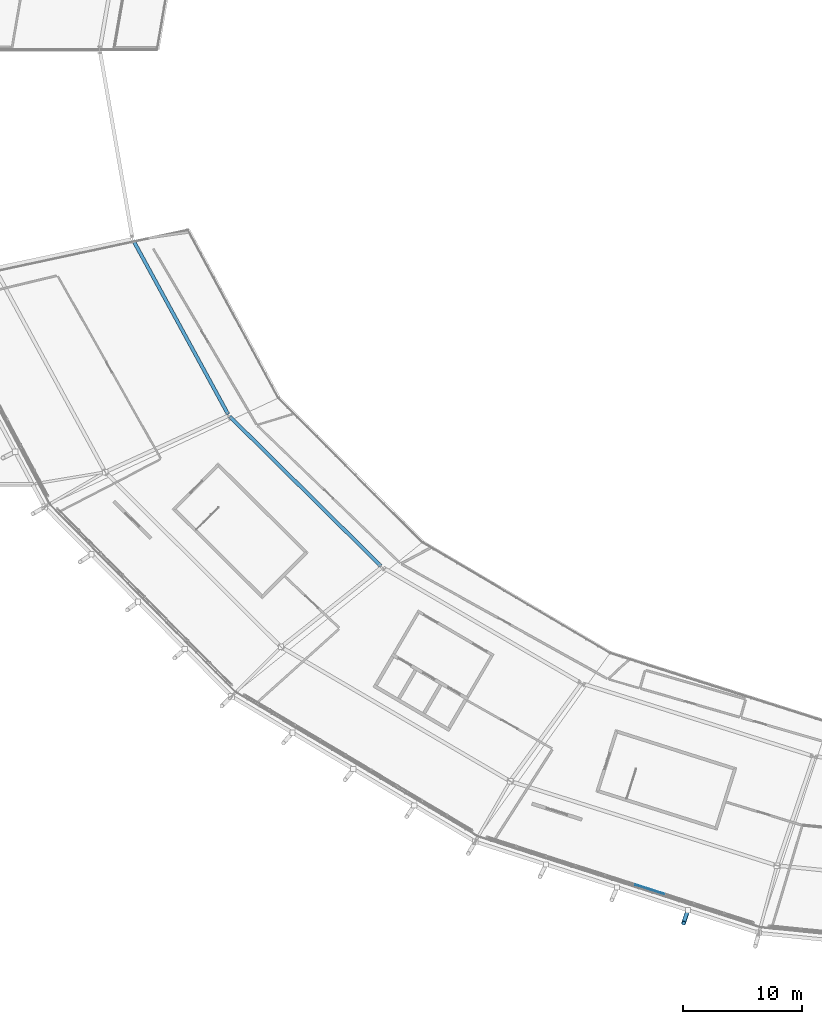
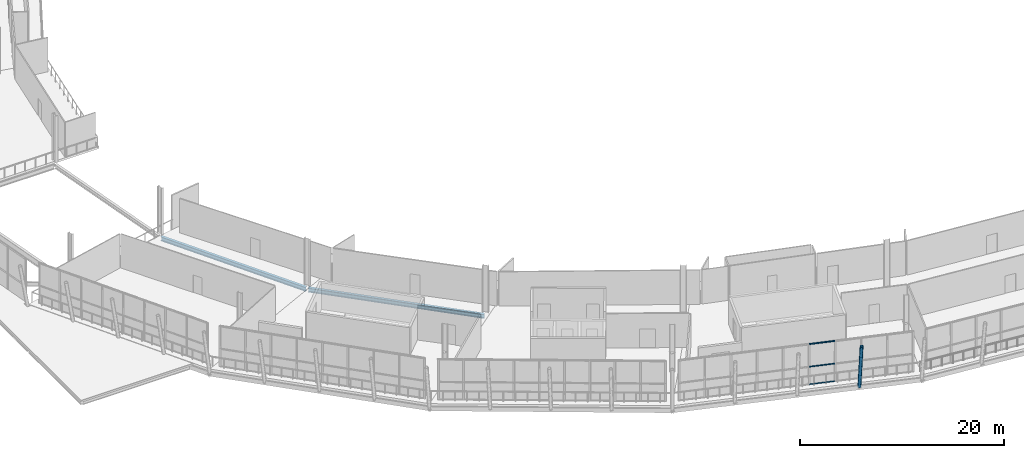
# One storey, part 19 of 99: 4 members, 2 beams, 1 element without a shape of its own.
"""IFC4 building model written with IfcOpenShell, lengths in metres."""

from ifc_helpers import new_model, si_unit, direction, frame, origin, origin_2d, place, context, subcontext, project, spatial, rectangle, hollow_circle, i_section, extrude, material, material_profile, profile_set, type_object, element, aggregate, save


model = new_model("IFC4")

# Units and contexts
model_context = context("Model", 3, precision=1e-05, world=origin(), true_north=direction((0.0, 1.0)))
body_context = subcontext(model_context, "Body", "Model", "MODEL_VIEW")
ifc_project = project(units=[si_unit("LENGTHUNIT", "METRE"), si_unit("AREAUNIT", "SQUARE_METRE"), si_unit("VOLUMEUNIT", "CUBIC_METRE"), si_unit("PLANEANGLEUNIT", "RADIAN"), si_unit("MASSUNIT", "GRAM", prefix="KILO")], contexts=[model_context])

# Site, building, storey
site_placement = place(None, origin())
site = spatial("IfcSite", under=ifc_project, at=site_placement, CompositionType="ELEMENT")
building_placement = place(site_placement, origin())
building = spatial("IfcBuilding", under=site, at=building_placement, Name="Zlatoyarsky Gate Stadium", CompositionType="ELEMENT")
storey_placement = place(building_placement, frame((0.0, 0.0, 26.199951171875)))
storey = spatial("IfcBuildingStorey", under=building, at=storey_placement, Name="L05", CompositionType="ELEMENT", Elevation=26.199951171875)

# Curtain wall, members
ifc_material_1 = material(Name="Thermally broken anodised aluminium curtain wall", Category="aluminium")
curtain_wall_type = type_object("IfcCurtainWallType", Name="UNITISED SKYBOX RING GLAZING L05", PredefinedType="USERDEFINED", material=ifc_material_1)
curtain_wall_placement = place(storey_placement, origin())
curtain_wall = element("IfcCurtainWall", 1, at=curtain_wall_placement, inside=storey, type_object=curtain_wall_type, Name="Curtain wall CW-L05-16", ObjectType="UNITISED GLAZING", PredefinedType="USERDEFINED")
ifc_material_2 = material(Name="Anodised aluminium 6063-T6", Category="aluminium")
ifc_material_profile_1 = material_profile(ifc_material_2, rectangle(XDim=0.06494140625, YDim=0.139892578125, at=origin_2d()), Name="ALU 65X140")
ifc_profile_set_1 = profile_set([ifc_material_profile_1], Name="Anodised aluminium 6063-T6")
member_type_1 = type_object("IfcMemberType", Name="ALUMINIUM TRANSOM 65X140", PredefinedType="USERDEFINED", material=ifc_profile_set_1)
member_1_placement = place(storey_placement, frame((75.02783203125, 9.81201171875, 0.032470703125), z_axis=(0.952040495048, -0.305972050667, 0.0), x_axis=(0.305972050667, 0.952040495048, 0.0)))
member_1 = element("IfcMember", 2, at=member_1_placement, type_object=member_type_1, Name="CW-UG5 transom 6.1", ObjectType="TRANSOM", PredefinedType="USERDEFINED", context=body_context, shape_type="SweptSolid", body=[
    extrude(rectangle(XDim=0.06494140625, YDim=0.139892578125, at=origin_2d()), origin(), (0.0, 0.0, 1.0), 2.55419921875),
])
member_2_placement = place(storey_placement, frame((75.02783203125, 9.81201171875, 2.150146484375), z_axis=(0.952040495048, -0.305972050667, 0.0), x_axis=(0.305972050667, 0.952040495048, 0.0)))
member_2 = element("IfcMember", 3, at=member_2_placement, type_object=member_type_1, Name="CW-UG5 transom 6.2", ObjectType="TRANSOM", PredefinedType="USERDEFINED", context=body_context, shape_type="SweptSolid", body=[
    extrude(rectangle(XDim=0.06494140625, YDim=0.139892578125, at=origin_2d()), origin(), (0.0, 0.0, 1.0), 2.55419921875),
])
member_3_placement = place(storey_placement, frame((75.02783203125, 9.81201171875, 4.84765625), z_axis=(0.952040495048, -0.305972050667, 0.0), x_axis=(0.305972050667, 0.952040495048, 0.0)))
member_3 = element("IfcMember", 4, at=member_3_placement, type_object=member_type_1, Name="CW-UG5 transom 6.3", ObjectType="TRANSOM", PredefinedType="USERDEFINED", context=body_context, shape_type="SweptSolid", body=[
    extrude(rectangle(XDim=0.06494140625, YDim=0.139892578125, at=origin_2d()), origin(), (0.0, 0.0, 1.0), 2.55419921875),
])
aggregate(curtain_wall, [member_1, member_2, member_3])

# Member
ifc_material_3 = material(Name="Steel S355", Category="steel")
ifc_material_profile_2 = material_profile(ifc_material_3, hollow_circle(Radius=0.177734375, WallThickness=0.02001953125, at=origin_2d()), Name="CHS 355.6X20")
ifc_profile_set_2 = profile_set([ifc_material_profile_2], Name="Steel S355")
member_type_2 = type_object("IfcMemberType", Name="STEEL LEANING RIB RING STRUT CHS 355.6X20", PredefinedType="STRUT", material=ifc_profile_set_2)
member_4_placement = place(storey_placement, frame((79.446533203125, 7.66162109375, -0.510009765625), z_axis=(-0.063505816911, -0.18734638797, 0.980238920944), x_axis=(0.947068082299, -0.32103278258, 0.0)))
element("IfcMember", 5, at=member_4_placement, inside=storey, type_object=member_type_2, Name="Outward-leaning bowl louvre fin rib L05 16-3", PredefinedType="STRUT", context=body_context, shape_type="SweptSolid", body=[
    extrude(hollow_circle(Radius=0.177734375, WallThickness=0.02001953125, at=origin_2d()), origin(), (0.0, 0.0, 1.0), 5.774169921875),
])

# Beams
ifc_material_profile_3 = material_profile(ifc_material_3, i_section(OverallWidth=0.300048828125, OverallDepth=0.5, WebThickness=0.014404296875, FlangeThickness=0.028076171875, FilletRadius=0.027099609375, at=origin_2d()), Name="HEB 500")
ifc_profile_set_3 = profile_set([ifc_material_profile_3], Name="Steel S355")
beam_type = type_object("IfcBeamType", Name="STEEL PRIMARY GIRDER HEB 500", PredefinedType="BEAM", material=ifc_profile_set_3)
beam_1_placement = place(storey_placement, frame((32.8173828125, 63.977294921875, -0.510009765625), z_axis=(0.478915800408, -0.877860840976, 0.0), x_axis=(0.877860840976, 0.478915800408, 0.0)))
element("IfcBeam", 6, at=beam_1_placement, inside=storey, type_object=beam_type, Name="Beam G-HEB500 BM-L05-CRB-13", PredefinedType="BEAM", context=body_context, shape_type="SweptSolid", body=[
    extrude(i_section(OverallWidth=0.300048828125, OverallDepth=0.5, WebThickness=0.014404296875, FlangeThickness=0.028076171875, FilletRadius=0.027099609375, at=origin_2d()), origin(), (0.0, 0.0, 1.0), 16.656494140625),
])
beam_2_placement = place(storey_placement, frame((40.937255859375, 49.16552734375, -0.510009765625), z_axis=(0.710840510009, -0.703353232259, 0.0), x_axis=(0.703353232259, 0.710840510009, 0.0)))
element("IfcBeam", 7, at=beam_2_placement, inside=storey, type_object=beam_type, Name="Beam G-HEB500 BM-L05-CRB-14", PredefinedType="BEAM", context=body_context, shape_type="SweptSolid", body=[
    extrude(i_section(OverallWidth=0.300048828125, OverallDepth=0.5, WebThickness=0.014404296875, FlangeThickness=0.028076171875, FilletRadius=0.027099609375, at=origin_2d()), origin(), (0.0, 0.0, 1.0), 17.868896484375),
])

save(model, "model.ifc")
